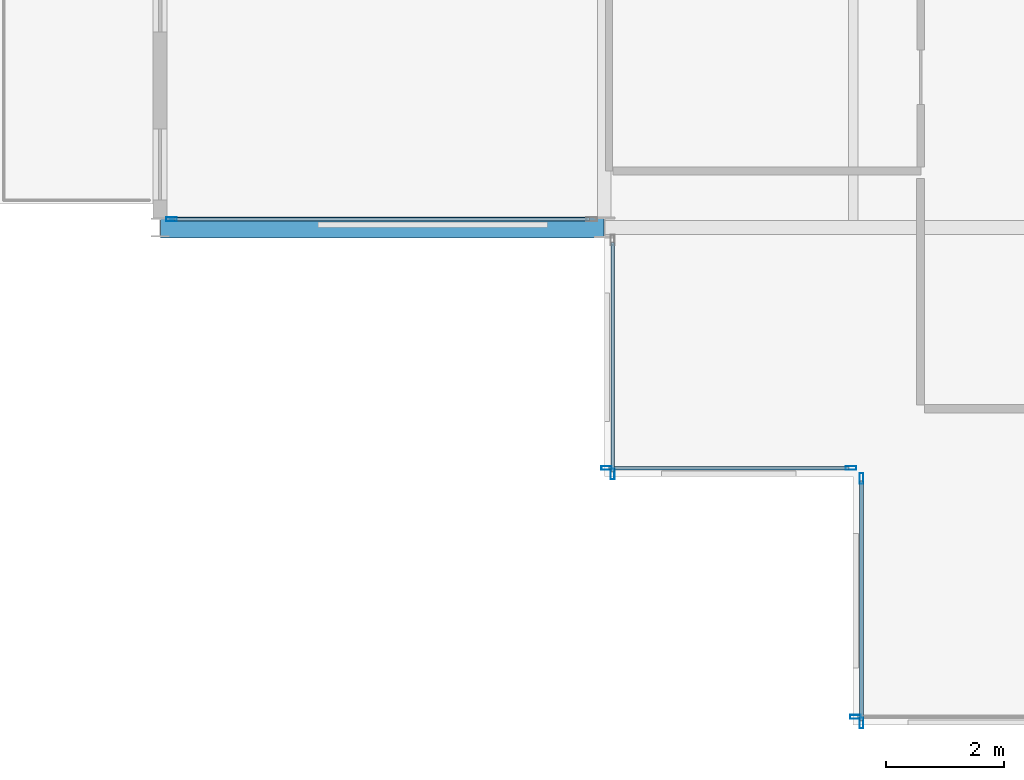
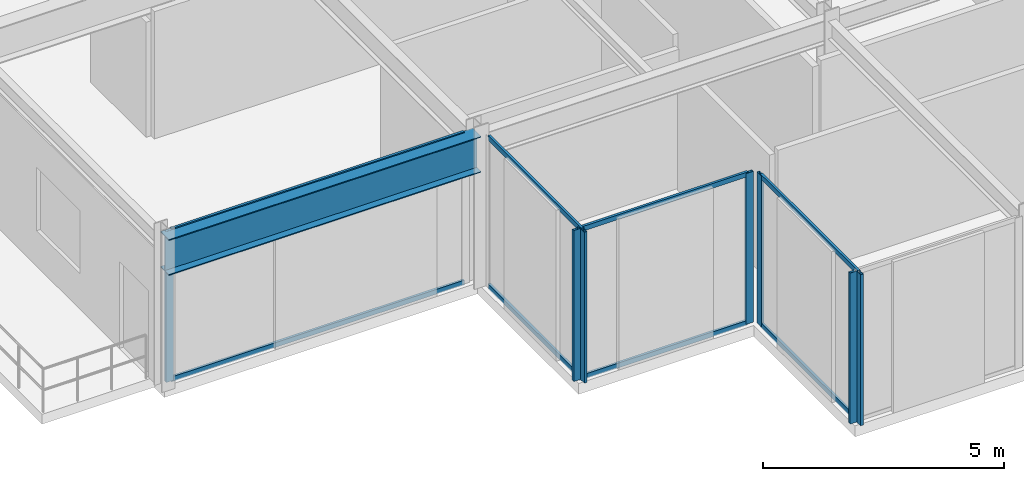
# One storey, part 3 of 29: 15 members, 1 beam, 5 elements without a shape of their own.
"""IFC4 building model written with IfcOpenShell, lengths in metres."""

from ifc_helpers import new_model, si_unit, direction, frame, origin, origin_2d, place, context, subcontext, project, spatial, hollow_rectangle, i_section, extrude, material, layer, layer_set, material_profile, profile_set, type_object, element, aggregate, save


model = new_model("IFC4")

# Units and contexts
model_context = context("Model", 3, precision=1e-05, world=origin(), true_north=direction((0.0, 1.0)))
body_context = subcontext(model_context, "Body", "Model", "MODEL_VIEW")
ifc_project = project(units=[si_unit("LENGTHUNIT", "METRE"), si_unit("AREAUNIT", "SQUARE_METRE"), si_unit("VOLUMEUNIT", "CUBIC_METRE"), si_unit("PLANEANGLEUNIT", "RADIAN"), si_unit("MASSUNIT", "GRAM", prefix="KILO")], contexts=[model_context])

# Site, building, storey
site_placement = place(None, origin())
site = spatial("IfcSite", under=ifc_project, at=site_placement, CompositionType="ELEMENT")
building_placement = place(site_placement, origin())
building = spatial("IfcBuilding", under=site, at=building_placement, Name="Nerrivon Quay Data Exchange", CompositionType="ELEMENT")
storey_placement = place(building_placement, frame((0.0, 0.0, 208.300048828125)))
storey = spatial("IfcBuildingStorey", under=building, at=storey_placement, Name="L49", CompositionType="ELEMENT", Elevation=208.300048828125)

# Beam
ifc_material_1 = material(Name="Steel Grade 350", Category="steel")
ifc_material_profile_1 = material_profile(ifc_material_1, i_section(OverallWidth=0.35009765625, OverallDepth=0.909912109375, WebThickness=0.011962890625, FlangeThickness=0.02490234375, at=origin_2d()), Name="900WB218")
ifc_profile_set_1 = profile_set([ifc_material_profile_1], Name="Steel Grade 350")
beam_type = type_object("IfcBeamType", Name="BM-CANT-900WB", PredefinedType="USERDEFINED", material=ifc_profile_set_1)
beam_placement = place(storey_placement, frame((-0.010009765625, 8.39990234375, 3.369873046875), z_axis=(-1.0, 0.0, 0.0), x_axis=(0.0, -1.0, 0.0)))
element("IfcBeam", 1, at=beam_placement, inside=storey, type_object=beam_type, Name="L49 West Hooked Cantilever Girder Y=8.4", ObjectType="TRANSFER", PredefinedType="USERDEFINED", context=body_context, shape_type="SweptSolid", body=[
    extrude(i_section(OverallWidth=0.35009765625, OverallDepth=0.909912109375, WebThickness=0.011962890625, FlangeThickness=0.02490234375, at=origin_2d()), origin(), (0.0, 0.0, 1.0), 7.482177734375),
])

# Curtain wall, member
ifc_material_2 = material(Name="Anodised aluminium 6063-T6", Category="aluminium")
ifc_layer_1 = layer(ifc_material_2, 0.195068359375)
ifc_layer_set_1 = layer_set([ifc_layer_1], Name="Anodised aluminium 6063-T6")
curtain_wall_type_1 = type_object("IfcCurtainWallType", Name="CW-SYS-06", PredefinedType="NOTDEFINED", material=ifc_layer_set_1)
curtain_wall_1_placement = place(storey_placement, origin())
curtain_wall_1 = element("IfcCurtainWall", 2, at=curtain_wall_1_placement, inside=storey, type_object=curtain_wall_type_1, Name="L49 Unitised Curtain Wall 28", PredefinedType="NOTDEFINED")
ifc_material_profile_2 = material_profile(ifc_material_2, hollow_rectangle(XDim=0.06494140625, YDim=0.179931640625, WallThickness=0.00341796875, at=origin_2d()), Name="ALU-MULL-180x65")
ifc_profile_set_2 = profile_set([ifc_material_profile_2], Name="Anodised aluminium 6063-T6")
member_type_1 = type_object("IfcMemberType", Name="CWM-180x65", PredefinedType="MULLION", material=ifc_profile_set_2)
member_1_placement = place(storey_placement, frame((4.237548828125, 0.139892578125, 0.0), z_axis=(0.0, 0.0, 1.0), x_axis=(0.0, -1.0, 0.0)))
member_1 = element("IfcMember", 3, at=member_1_placement, type_object=member_type_1, Name="CW06 mullion 2", PredefinedType="MULLION", context=body_context, shape_type="SweptSolid", body=[
    extrude(hollow_rectangle(XDim=0.06494140625, YDim=0.179931640625, WallThickness=0.00341796875, at=origin_2d()), origin(), (0.0, 0.0, 1.0), 3.824951171875),
])
aggregate(curtain_wall_1, [member_1])

# Curtain wall, members
curtain_wall_2_placement = place(storey_placement, origin())
curtain_wall_2 = element("IfcCurtainWall", 4, at=curtain_wall_2_placement, inside=storey, type_object=curtain_wall_type_1, Name="L49 Unitised Curtain Wall 29", PredefinedType="NOTDEFINED")
member_2_placement = place(storey_placement, frame((4.340087890625, 0.03759765625, 0.0), z_axis=(0.0, 0.0, 1.0), x_axis=(-1.0, 0.0, 0.0)))
member_2 = element("IfcMember", 5, at=member_2_placement, type_object=member_type_1, Name="CW06 mullion 1", PredefinedType="MULLION", context=body_context, shape_type="SweptSolid", body=[
    extrude(hollow_rectangle(XDim=0.06494140625, YDim=0.179931640625, WallThickness=0.00341796875, at=origin_2d()), origin(), (0.0, 0.0, 1.0), 3.824951171875),
])
member_3_placement = place(storey_placement, frame((4.340087890625, 4.16259765625, 0.0), z_axis=(0.0, 0.0, 1.0), x_axis=(-1.0, 0.0, 0.0)))
member_3 = element("IfcMember", 6, at=member_3_placement, type_object=member_type_1, Name="CW06 mullion 2", PredefinedType="MULLION", context=body_context, shape_type="SweptSolid", body=[
    extrude(hollow_rectangle(XDim=0.06494140625, YDim=0.179931640625, WallThickness=0.00341796875, at=origin_2d()), origin(), (0.0, 0.0, 1.0), 3.824951171875),
])

curtain_wall_3_placement = place(storey_placement, origin())
curtain_wall_3 = element("IfcCurtainWall", 7, at=curtain_wall_3_placement, inside=storey, type_object=curtain_wall_type_1, Name="L49 Unitised Curtain Wall 30", PredefinedType="NOTDEFINED")
member_4_placement = place(storey_placement, frame((4.16259765625, 4.340087890625, 0.0), z_axis=(0.0, 0.0, 1.0), x_axis=(0.0, -1.0, 0.0)))
member_4 = element("IfcMember", 8, at=member_4_placement, type_object=member_type_1, Name="CW06 mullion 1", PredefinedType="MULLION", context=body_context, shape_type="SweptSolid", body=[
    extrude(hollow_rectangle(XDim=0.06494140625, YDim=0.179931640625, WallThickness=0.00341796875, at=origin_2d()), origin(), (0.0, 0.0, 1.0), 3.824951171875),
])
member_5_placement = place(storey_placement, frame((0.03759765625, 4.340087890625, 0.0), z_axis=(0.0, 0.0, 1.0), x_axis=(0.0, -1.0, 0.0)))
member_5 = element("IfcMember", 9, at=member_5_placement, type_object=member_type_1, Name="CW06 mullion 2", PredefinedType="MULLION", context=body_context, shape_type="SweptSolid", body=[
    extrude(hollow_rectangle(XDim=0.06494140625, YDim=0.179931640625, WallThickness=0.00341796875, at=origin_2d()), origin(), (0.0, 0.0, 1.0), 3.824951171875),
])

# Curtain wall, member
curtain_wall_4_placement = place(storey_placement, origin())
curtain_wall_4 = element("IfcCurtainWall", 10, at=curtain_wall_4_placement, inside=storey, type_object=curtain_wall_type_1, Name="L49 Unitised Curtain Wall 31", PredefinedType="NOTDEFINED")
member_6_placement = place(storey_placement, frame((0.139892578125, 4.237548828125, 0.0), z_axis=(0.0, 0.0, 1.0), x_axis=(-1.0, 0.0, 0.0)))
member_6 = element("IfcMember", 11, at=member_6_placement, type_object=member_type_1, Name="CW06 mullion 1", PredefinedType="MULLION", context=body_context, shape_type="SweptSolid", body=[
    extrude(hollow_rectangle(XDim=0.06494140625, YDim=0.179931640625, WallThickness=0.00341796875, at=origin_2d()), origin(), (0.0, 0.0, 1.0), 3.824951171875),
])

ifc_layer_2 = layer(ifc_material_2, 0.199951171875)
ifc_layer_set_2 = layer_set([ifc_layer_2], Name="Anodised aluminium 6063-T6")
curtain_wall_type_2 = type_object("IfcCurtainWallType", Name="CW-SYS-04", PredefinedType="NOTDEFINED", material=ifc_layer_set_2)
curtain_wall_5_placement = place(storey_placement, origin())
curtain_wall_5 = element("IfcCurtainWall", 12, at=curtain_wall_5_placement, inside=storey, type_object=curtain_wall_type_2, Name="L49 Unitised Curtain Wall 32", PredefinedType="NOTDEFINED")
member_7_placement = place(storey_placement, frame((-7.306884765625, 8.5400390625, 0.0), z_axis=(0.0, 0.0, 1.0), x_axis=(0.0, -1.0, 0.0)))
member_7 = element("IfcMember", 13, at=member_7_placement, type_object=member_type_1, Name="CW04 mullion 2", PredefinedType="MULLION", context=body_context, shape_type="SweptSolid", body=[
    extrude(hollow_rectangle(XDim=0.06494140625, YDim=0.179931640625, WallThickness=0.00341796875, at=origin_2d()), origin(), (0.0, 0.0, 1.0), 3.824951171875),
])

# Member
ifc_material_profile_3 = material_profile(ifc_material_2, hollow_rectangle(XDim=0.06005859375, YDim=0.1201171875, WallThickness=0.003173828125, at=origin_2d()), Name="ALU-TRAN-120x60")
ifc_profile_set_3 = profile_set([ifc_material_profile_3], Name="Anodised aluminium 6063-T6")
member_type_2 = type_object("IfcMemberType", Name="CWT-120x60", PredefinedType="USERDEFINED", material=ifc_profile_set_3)
member_8_placement = place(storey_placement, frame((4.340087890625, 0.074951171875, 0.032470703125), z_axis=(0.0, 1.0, 0.0), x_axis=(-1.0, 0.0, 0.0)))
member_8 = element("IfcMember", 14, at=member_8_placement, type_object=member_type_2, Name="CW06 transom 1.1", ObjectType="TRANSOM", PredefinedType="USERDEFINED", context=body_context, shape_type="SweptSolid", body=[
    extrude(hollow_rectangle(XDim=0.06005859375, YDim=0.1201171875, WallThickness=0.003173828125, at=origin_2d()), origin(), (0.0, 0.0, 1.0), 4.050048828125),
])

member_9_placement = place(storey_placement, frame((4.340087890625, 0.074951171875, 3.79248046875), z_axis=(0.0, 1.0, 0.0), x_axis=(-1.0, 0.0, 0.0)))
member_9 = element("IfcMember", 15, at=member_9_placement, type_object=member_type_2, Name="CW06 transom 1.2", ObjectType="TRANSOM", PredefinedType="USERDEFINED", context=body_context, shape_type="SweptSolid", body=[
    extrude(hollow_rectangle(XDim=0.06005859375, YDim=0.1201171875, WallThickness=0.003173828125, at=origin_2d()), origin(), (0.0, 0.0, 1.0), 4.050048828125),
])

aggregate(curtain_wall_2, [member_2, member_3, member_8, member_9])

member_10_placement = place(storey_placement, frame((4.125, 4.340087890625, 0.032470703125), z_axis=(-1.0, 0.0, 0.0), x_axis=(0.0, -1.0, 0.0)))
member_10 = element("IfcMember", 16, at=member_10_placement, type_object=member_type_2, Name="CW06 transom 1.1", ObjectType="TRANSOM", PredefinedType="USERDEFINED", context=body_context, shape_type="SweptSolid", body=[
    extrude(hollow_rectangle(XDim=0.06005859375, YDim=0.1201171875, WallThickness=0.003173828125, at=origin_2d()), origin(), (0.0, 0.0, 1.0), 4.050048828125),
])

member_11_placement = place(storey_placement, frame((4.125, 4.340087890625, 3.79248046875), z_axis=(-1.0, 0.0, 0.0), x_axis=(0.0, -1.0, 0.0)))
member_11 = element("IfcMember", 17, at=member_11_placement, type_object=member_type_2, Name="CW06 transom 1.2", ObjectType="TRANSOM", PredefinedType="USERDEFINED", context=body_context, shape_type="SweptSolid", body=[
    extrude(hollow_rectangle(XDim=0.06005859375, YDim=0.1201171875, WallThickness=0.003173828125, at=origin_2d()), origin(), (0.0, 0.0, 1.0), 4.050048828125),
])

aggregate(curtain_wall_3, [member_4, member_5, member_10, member_11])

member_12_placement = place(storey_placement, frame((0.139892578125, 4.27490234375, 0.032470703125), z_axis=(0.0, 1.0, 0.0), x_axis=(-1.0, 0.0, 0.0)))
member_12 = element("IfcMember", 18, at=member_12_placement, type_object=member_type_2, Name="CW06 transom 1.1", ObjectType="TRANSOM", PredefinedType="USERDEFINED", context=body_context, shape_type="SweptSolid", body=[
    extrude(hollow_rectangle(XDim=0.06005859375, YDim=0.1201171875, WallThickness=0.003173828125, at=origin_2d()), origin(), (0.0, 0.0, 1.0), 3.875),
])

member_13_placement = place(storey_placement, frame((0.139892578125, 4.27490234375, 3.79248046875), z_axis=(0.0, 1.0, 0.0), x_axis=(-1.0, 0.0, 0.0)))
member_13 = element("IfcMember", 19, at=member_13_placement, type_object=member_type_2, Name="CW06 transom 1.2", ObjectType="TRANSOM", PredefinedType="USERDEFINED", context=body_context, shape_type="SweptSolid", body=[
    extrude(hollow_rectangle(XDim=0.06005859375, YDim=0.1201171875, WallThickness=0.003173828125, at=origin_2d()), origin(), (0.0, 0.0, 1.0), 3.875),
])

aggregate(curtain_wall_4, [member_6, member_12, member_13])

member_14_placement = place(storey_placement, frame((-0.25, 8.5400390625, 0.032470703125), z_axis=(-1.0, 0.0, 0.0), x_axis=(0.0, -1.0, 0.0)))
member_14 = element("IfcMember", 20, at=member_14_placement, type_object=member_type_2, Name="CW04 transom 1.1", ObjectType="TRANSOM", PredefinedType="USERDEFINED", context=body_context, shape_type="SweptSolid", body=[
    extrude(hollow_rectangle(XDim=0.06005859375, YDim=0.1201171875, WallThickness=0.003173828125, at=origin_2d()), origin(), (0.0, 0.0, 1.0), 7.01953125),
])

member_15_placement = place(storey_placement, frame((-0.25, 8.5400390625, 3.79248046875), z_axis=(-1.0, 0.0, 0.0), x_axis=(0.0, -1.0, 0.0)))
member_15 = element("IfcMember", 21, at=member_15_placement, type_object=member_type_2, Name="CW04 transom 1.2", ObjectType="TRANSOM", PredefinedType="USERDEFINED", context=body_context, shape_type="SweptSolid", body=[
    extrude(hollow_rectangle(XDim=0.06005859375, YDim=0.1201171875, WallThickness=0.003173828125, at=origin_2d()), origin(), (0.0, 0.0, 1.0), 7.01953125),
])

aggregate(curtain_wall_5, [member_7, member_14, member_15])

save(model, "model.ifc")
